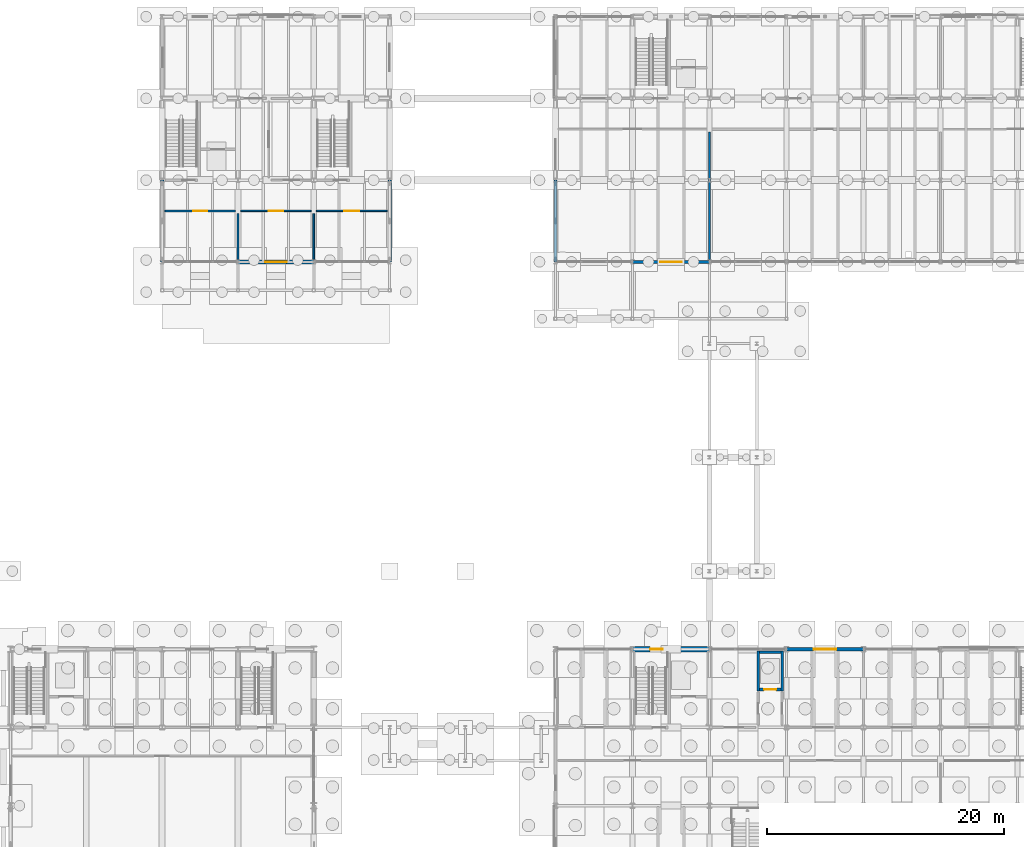
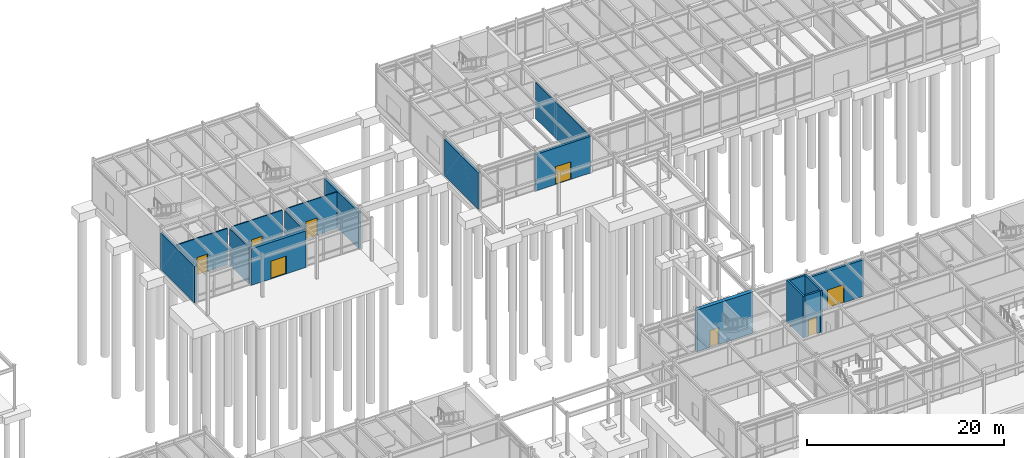
# One storey, part 70 of 82: 17 walls, 8 doors, 8 openings.
"""IFC4 building model written with IfcOpenShell, lengths in metres."""

from ifc_helpers import new_model, si_unit, direction, frame, frame_2d, origin, place, context, subcontext, project, spatial, rectangle, extrude, material, layer, layer_set, type_object, element, fill, save


model = new_model("IFC4")

# Units and contexts
model_context = context("Model", 3, precision=1e-05, world=origin(), true_north=direction((0.0, 1.0)))
body_context = subcontext(model_context, "Body", "Model", "MODEL_VIEW")
ifc_project = project(units=[si_unit("LENGTHUNIT", "METRE"), si_unit("AREAUNIT", "SQUARE_METRE"), si_unit("VOLUMEUNIT", "CUBIC_METRE"), si_unit("PLANEANGLEUNIT", "RADIAN"), si_unit("MASSUNIT", "GRAM", prefix="KILO")], contexts=[model_context])

# Site, building, storey
site_placement = place(None, origin())
site = spatial("IfcSite", under=ifc_project, at=site_placement, CompositionType="ELEMENT")
building_placement = place(site_placement, origin())
building = spatial("IfcBuilding", under=site, at=building_placement, Name="Trelmorton Wharf Fire Station", CompositionType="ELEMENT")
storey_placement = place(building_placement, origin())
storey = spatial("IfcBuildingStorey", under=building, at=storey_placement, Name="L00", CompositionType="ELEMENT", Elevation=0.0)

# Wall, opening, door
ifc_material_1 = material(Name="Precast concrete 45 MPa", Category="concrete")
ifc_layer_1 = layer(ifc_material_1, 0.27001953125)
ifc_layer_set_1 = layer_set([ifc_layer_1], Name="Precast concrete 45 MPa")
wall_type_1 = type_object("IfcWallType", Name="EW_PREC_270", PredefinedType="SOLIDWALL", material=ifc_layer_set_1)
wall_1_placement = place(storey_placement, frame((123.5048828125, 27.60009765625, 0.0), z_axis=(0.0, 0.0, 1.0), x_axis=(1.0, 0.0, 0.0)))
wall_1 = element("IfcWall", 1, at=wall_1_placement, inside=storey, type_object=wall_type_1, Name="EW-V5-L00-0068", PredefinedType="SOLIDWALL", context=body_context, shape_type="SweptSolid", body=[
    extrude(rectangle(XDim=6.490234375, YDim=0.27001953125, at=frame_2d((3.2451171875, 0.0))), origin(), (0.0, 0.0, 1.0), 4.52001953125),
])
opening_1_placement = place(wall_1_placement, frame((2.284912109375, 0.0, 0.0)))
opening_1 = element("IfcOpeningElement", 2, at=opening_1_placement, cuts=wall_1, Name="Opening E-013", PredefinedType="OPENING", context=body_context, shape_type="SweptSolid", body=[
    extrude(rectangle(XDim=1.919921875, YDim=2.25, at=frame_2d((0.9599609375, 1.125))), frame((0.0, 0.14501953125, 0.0), z_axis=(0.0, -1.0, 0.0), x_axis=(1.0, 0.0, 0.0)), (0.0, 0.0, 1.0), 0.2900390625),
])
ifc_material_2 = material(Name="Anodised aluminium AW-6063", Category="aluminium")
door_type_1 = type_object("IfcDoorType", Name="DR_EXT_DBL_192", OperationType="DOUBLE_DOOR_SINGLE_SWING", PredefinedType="DOOR", material=ifc_material_2)
door_1_placement = place(opening_1_placement, origin())
door_1 = element("IfcDoor", 3, at=door_1_placement, inside=storey, type_object=door_type_1, Name="Final Exit Door E-013", OperationType="DOUBLE_DOOR_SINGLE_SWING", OverallHeight=2.25, OverallWidth=1.919921875, PredefinedType="DOOR", context=body_context, shape_type="SweptSolid", body=[
    extrude(rectangle(XDim=1.919921875, YDim=2.25, at=frame_2d((0.9599609375, 1.125))), frame((0.0, 0.02490234375, 0.0), z_axis=(0.0, -1.0, 0.0), x_axis=(1.0, 0.0, 0.0)), (0.0, 0.0, 1.0), 0.050048828125),
])
fill(opening_1, door_1)

# Wall
wall_2_placement = place(storey_placement, frame((70.800048828125, 60.304931640625, 0.0), z_axis=(0.0, 0.0, 1.0), x_axis=(0.0, 1.0, 0.0)))
element("IfcWall", 4, at=wall_2_placement, inside=storey, type_object=wall_type_1, Name="EW-V2-L00-0158", PredefinedType="SOLIDWALL", context=body_context, shape_type="SweptSolid", body=[
    extrude(rectangle(XDim=6.89013671875, YDim=0.27001953125, at=frame_2d((3.445068359375, 0.0))), origin(), (0.0, 0.0, 1.0), 4.52001953125),
])

# Wall, opening, door
wall_3_placement = place(storey_placement, frame((116.9951171875, 60.300048828125, 0.0), z_axis=(0.0, 0.0, 1.0), x_axis=(-1.0, 0.0, 0.0)))
wall_3 = element("IfcWall", 5, at=wall_3_placement, inside=storey, type_object=wall_type_1, Name="EW-V4-L00-0200", PredefinedType="SOLIDWALL", context=body_context, shape_type="SweptSolid", body=[
    extrude(rectangle(XDim=6.490234375, YDim=0.27001953125, at=frame_2d((3.2451171875, 0.0))), origin(), (0.0, 0.0, 1.0), 4.52001953125),
])
opening_2_placement = place(wall_3_placement, frame((2.3349609375, 0.0, 0.0)))
opening_2 = element("IfcOpeningElement", 6, at=opening_2_placement, cuts=wall_3, Name="Opening E-031", PredefinedType="OPENING", context=body_context, shape_type="SweptSolid", body=[
    extrude(rectangle(XDim=1.820068359375, YDim=2.199951171875, at=frame_2d((0.91015625, 1.10009765625))), frame((0.0, 0.14501953125, 0.0), z_axis=(0.0, -1.0, 0.0), x_axis=(1.0, 0.0, 0.0)), (0.0, 0.0, 1.0), 0.2900390625),
])
door_type_2 = type_object("IfcDoorType", Name="DR_EXT_DBL_182", OperationType="DOUBLE_DOOR_SINGLE_SWING", PredefinedType="DOOR", material=ifc_material_2)
door_2_placement = place(opening_2_placement, origin())
door_2 = element("IfcDoor", 7, at=door_2_placement, inside=storey, type_object=door_type_2, Name="Final Exit Door E-031", OperationType="DOUBLE_DOOR_SINGLE_SWING", OverallHeight=2.199951171875, OverallWidth=1.820068359375, PredefinedType="DOOR", context=body_context, shape_type="SweptSolid", body=[
    extrude(rectangle(XDim=1.820068359375, YDim=2.199951171875, at=frame_2d((0.91015625, 1.10009765625))), frame((0.0, 0.02490234375, 0.0), z_axis=(0.0, -1.0, 0.0), x_axis=(1.0, 0.0, 0.0)), (0.0, 0.0, 1.0), 0.050048828125),
])
fill(opening_2, door_2)

# Walls
wall_4_placement = place(storey_placement, frame((104.0, 60.304931640625, 0.0), z_axis=(0.0, 0.0, 1.0), x_axis=(0.0, 1.0, 0.0)))
element("IfcWall", 8, at=wall_4_placement, inside=storey, type_object=wall_type_1, Name="EW-V4-L00-0206", PredefinedType="SOLIDWALL", context=body_context, shape_type="SweptSolid", body=[
    extrude(rectangle(XDim=6.89013671875, YDim=0.27001953125, at=frame_2d((3.445068359375, 0.0))), origin(), (0.0, 0.0, 1.0), 4.52001953125),
])
ifc_layer_2 = layer(ifc_material_1, 0.2900390625)
ifc_layer_set_2 = layer_set([ifc_layer_2], Name="Precast concrete 45 MPa")
wall_type_2 = type_object("IfcWallType", Name="EW_TERR_290", PredefinedType="SOLIDWALL", material=ifc_layer_set_2)
wall_5_placement = place(storey_placement, frame((90.0, 67.195068359375, 0.0), z_axis=(0.0, 0.0, 1.0), x_axis=(0.0, -1.0, 0.0)))
element("IfcWall", 9, at=wall_5_placement, inside=storey, type_object=wall_type_2, Name="EW-V2-L00-0159", PredefinedType="SOLIDWALL", context=body_context, shape_type="SweptSolid", body=[
    extrude(rectangle(XDim=6.89013671875, YDim=0.2900390625, at=frame_2d((3.445068359375, 0.0))), origin(), (0.0, 0.0, 1.0), 4.52001953125),
])

# Wall, opening, door
ifc_layer_3 = layer(ifc_material_1, 0.330078125)
ifc_layer_set_3 = layer_set([ifc_layer_3], Name="Precast concrete 45 MPa")
wall_type_3 = type_object("IfcWallType", Name="EW_TERR_330", PredefinedType="SOLIDWALL", material=ifc_layer_set_3)
wall_6_placement = place(storey_placement, frame((83.594970703125, 60.300048828125, 0.0), z_axis=(0.0, 0.0, 1.0), x_axis=(-1.0, 0.0, 0.0)))
wall_6 = element("IfcWall", 10, at=wall_6_placement, inside=storey, type_object=wall_type_3, Name="EW-V2-L00-0155", PredefinedType="SOLIDWALL", context=body_context, shape_type="SweptSolid", body=[
    extrude(rectangle(XDim=6.389892578125, YDim=0.330078125, at=frame_2d((3.19482421875, 0.0))), origin(), (0.0, 0.0, 1.0), 4.52001953125),
])
opening_3_placement = place(wall_6_placement, frame((2.284912109375, 0.0, 0.0)))
opening_3 = element("IfcOpeningElement", 11, at=opening_3_placement, cuts=wall_6, Name="Opening E-025", PredefinedType="OPENING", context=body_context, shape_type="SweptSolid", body=[
    extrude(rectangle(XDim=1.820068359375, YDim=2.199951171875, at=frame_2d((0.91015625, 1.10009765625))), frame((0.0, 0.175048828125, 0.0), z_axis=(0.0, -1.0, 0.0), x_axis=(1.0, 0.0, 0.0)), (0.0, 0.0, 1.0), 0.35009765625),
])
door_3_placement = place(opening_3_placement, origin())
door_3 = element("IfcDoor", 12, at=door_3_placement, inside=storey, type_object=door_type_2, Name="Final Exit Door E-025", OperationType="DOUBLE_DOOR_SINGLE_SWING", OverallHeight=2.199951171875, OverallWidth=1.820068359375, PredefinedType="DOOR", context=body_context, shape_type="SweptSolid", body=[
    extrude(rectangle(XDim=1.820068359375, YDim=2.199951171875, at=frame_2d((0.91015625, 1.10009765625))), frame((0.0, 0.02490234375, 0.0), z_axis=(0.0, -1.0, 0.0), x_axis=(1.0, 0.0, 0.0)), (0.0, 0.0, 1.0), 0.050048828125),
])
fill(opening_3, door_3)

ifc_material_3 = material(Name="Gypsum plasterboard partition")
ifc_layer_4 = layer(ifc_material_3, 0.14990234375)
ifc_layer_set_4 = layer_set([ifc_layer_4], Name="Gypsum plasterboard partition")
wall_type_4 = type_object("IfcWallType", Name="IW_ACOU_150", PredefinedType="PARTITIONING", material=ifc_layer_set_4)
wall_7_placement = place(storey_placement, frame((71.02001953125, 64.60009765625, 0.0), z_axis=(0.0, 0.0, 1.0), x_axis=(1.0, 0.0, 0.0)))
wall_7 = element("IfcWall", 13, at=wall_7_placement, inside=storey, type_object=wall_type_4, Name="IW-L00-0044", PredefinedType="PARTITIONING", context=body_context, shape_type="SweptSolid", body=[
    extrude(rectangle(XDim=5.9599609375, YDim=0.14990234375, at=frame_2d((2.97998046875, 0.0))), origin(), (0.0, 0.0, 1.0), 4.5),
])
opening_4_placement = place(wall_7_placement, frame((2.385009765625, 0.0, 0.0)))
opening_4 = element("IfcOpeningElement", 14, at=opening_4_placement, cuts=wall_7, Name="Opening D-030", PredefinedType="OPENING", context=body_context, shape_type="SweptSolid", body=[
    extrude(rectangle(XDim=1.18994140625, YDim=2.139892578125, at=frame_2d((0.594970703125, 1.06982421875))), frame((0.0, 0.0849609375, 0.0), z_axis=(0.0, -1.0, 0.0), x_axis=(1.0, 0.0, 0.0)), (0.0, 0.0, 1.0), 0.169921875),
])
ifc_material_4 = material(Name="Acoustic timber panelling", Category="wood")
door_type_3 = type_object("IfcDoorType", Name="DR_INT_119", OperationType="NOTDEFINED", PredefinedType="DOOR", material=ifc_material_4)
door_4_placement = place(opening_4_placement, origin())
door_4 = element("IfcDoor", 15, at=door_4_placement, inside=storey, type_object=door_type_3, Name="Interior Door D-030", OperationType="SINGLE_SWING_LEFT", OverallHeight=2.139892578125, OverallWidth=1.18994140625, PredefinedType="DOOR", context=body_context, shape_type="SweptSolid", body=[
    extrude(rectangle(XDim=1.18994140625, YDim=2.139892578125, at=frame_2d((0.594970703125, 1.06982421875))), frame((0.0, 0.02490234375, 0.0), z_axis=(0.0, -1.0, 0.0), x_axis=(1.0, 0.0, 0.0)), (0.0, 0.0, 1.0), 0.050048828125),
])
fill(opening_4, door_4)

# Walls
ifc_layer_5 = layer(ifc_material_3, 0.159912109375)
ifc_layer_set_5 = layer_set([ifc_layer_5], Name="Gypsum plasterboard partition")
wall_type_5 = type_object("IfcWallType", Name="IW_ACOU_160", PredefinedType="PARTITIONING", material=ifc_layer_set_5)
wall_8_placement = place(storey_placement, frame((77.199951171875, 60.52001953125, 0.0), z_axis=(0.0, 0.0, 1.0), x_axis=(0.0, 1.0, 0.0)))
element("IfcWall", 16, at=wall_8_placement, inside=storey, type_object=wall_type_5, Name="IW-L00-0043", PredefinedType="PARTITIONING", context=body_context, shape_type="SweptSolid", body=[
    extrude(rectangle(XDim=3.85986328125, YDim=0.159912109375, at=frame_2d((1.929931640625, 0.0))), origin(), (0.0, 0.0, 1.0), 4.5),
])
ifc_material_5 = material(Name="Concrete 40 MPa", Category="concrete")
ifc_layer_6 = layer(ifc_material_5, 0.219970703125)
ifc_layer_set_6 = layer_set([ifc_layer_6], Name="Concrete 40 MPa")
wall_type_6 = type_object("IfcWallType", Name="IW_CORE_220", PredefinedType="SOLIDWALL", material=ifc_layer_set_6)
for number, where, z_axis, x_axis, name in (
    (17, (121.110107421875, 24.090087890625, 0.0), (0.0, 0.0, 1.0), (0.0, 1.0, 0.0), "IW-LF3-W-L00"),
    (18, (123.1298828125, 24.090087890625, 0.0), (0.0, 0.0, 1.0), (0.0, 1.0, 0.0), "IW-LF3-E-L00"),
):
    element("IfcWall", number, at=place(storey_placement, frame(where, z_axis=z_axis, x_axis=x_axis)), inside=storey, type_object=wall_type_6, Name=name, PredefinedType="SOLIDWALL", context=body_context, shape_type="SweptSolid", body=[
        extrude(rectangle(XDim=3.35986328125, YDim=0.219970703125, at=frame_2d((1.679931640625, 0.0))), origin(), (0.0, 0.0, 1.0), 5.159912109375),
    ])
wall_9_placement = place(storey_placement, frame((121.219970703125, 27.340087890625, 0.0), z_axis=(0.0, 0.0, 1.0), x_axis=(1.0, 0.0, 0.0)))
element("IfcWall", 19, at=wall_9_placement, inside=storey, type_object=wall_type_6, Name="IW-LF3-N-L00", PredefinedType="SOLIDWALL", context=body_context, shape_type="SweptSolid", body=[
    extrude(rectangle(XDim=1.800048828125, YDim=0.219970703125, at=frame_2d((0.89990234375, 0.0))), origin(), (0.0, 0.0, 1.0), 5.159912109375),
])

# Wall, opening, door
wall_10_placement = place(storey_placement, frame((121.219970703125, 24.199951171875, 0.0), z_axis=(0.0, 0.0, 1.0), x_axis=(1.0, 0.0, 0.0)))
wall_10 = element("IfcWall", 20, at=wall_10_placement, inside=storey, type_object=wall_type_6, Name="IW-LF3-S-L00", PredefinedType="SOLIDWALL", context=body_context, shape_type="SweptSolid", body=[
    extrude(rectangle(XDim=1.800048828125, YDim=0.219970703125, at=frame_2d((0.89990234375, 0.0))), origin(), (0.0, 0.0, 1.0), 5.159912109375),
])
opening_5_placement = place(wall_10_placement, frame((0.39990234375, 0.0, 0.0)))
opening_5 = element("IfcOpeningElement", 21, at=opening_5_placement, cuts=wall_10, Name="Opening LD-006", PredefinedType="OPENING", context=body_context, shape_type="SweptSolid", body=[
    extrude(rectangle(XDim=1.0, YDim=2.10009765625, at=frame_2d((0.5, 1.050048828125))), frame((0.0, 0.1201171875, 0.0), z_axis=(0.0, -1.0, 0.0), x_axis=(1.0, 0.0, 0.0)), (0.0, 0.0, 1.0), 0.239990234375),
])
ifc_material_6 = material(Name="Stainless steel 316 marine grade", Category="steel")
door_type_4 = type_object("IfcDoorType", Name="DR_LIFT_100", OperationType="DOUBLE_DOOR_SLIDING", PredefinedType="DOOR", material=ifc_material_6)
door_5_placement = place(opening_5_placement, origin())
door_5 = element("IfcDoor", 22, at=door_5_placement, inside=storey, type_object=door_type_4, Name="Lift Landing Door LD-006", OperationType="DOUBLE_DOOR_SLIDING", OverallHeight=2.10009765625, OverallWidth=1.0, PredefinedType="DOOR", context=body_context, shape_type="SweptSolid", body=[
    extrude(rectangle(XDim=1.0, YDim=2.10009765625, at=frame_2d((0.5, 1.050048828125))), frame((0.0, 0.02490234375, 0.0), z_axis=(0.0, -1.0, 0.0), x_axis=(1.0, 0.0, 0.0)), (0.0, 0.0, 1.0), 0.050048828125),
])
fill(opening_5, door_5)

# Wall
ifc_layer_7 = layer(ifc_material_1, 0.169921875)
ifc_layer_set_7 = layer_set([ifc_layer_7], Name="Precast concrete 45 MPa")
wall_type_7 = type_object("IfcWallType", Name="IW_FIRE_170", PredefinedType="PARTITIONING", material=ifc_layer_set_7)
wall_11_placement = place(storey_placement, frame((117.0, 60.52001953125, 0.0), z_axis=(0.0, 0.0, 1.0), x_axis=(0.0, 1.0, 0.0)))
element("IfcWall", 23, at=wall_11_placement, inside=storey, type_object=wall_type_7, Name="IW-L00-0052", PredefinedType="PARTITIONING", context=body_context, shape_type="SweptSolid", body=[
    extrude(rectangle(XDim=10.760009765625, YDim=0.169921875, at=frame_2d((5.3798828125, 0.0))), origin(), (0.0, 0.0, 1.0), 4.5),
])

# Wall, opening, door
ifc_layer_8 = layer(ifc_material_3, 0.1298828125)
ifc_layer_set_8 = layer_set([ifc_layer_8], Name="Gypsum plasterboard partition")
wall_type_8 = type_object("IfcWallType", Name="IW_PART_130", PredefinedType="PARTITIONING", material=ifc_layer_set_8)
wall_12_placement = place(storey_placement, frame((77.419921875, 64.60009765625, 0.0), z_axis=(0.0, 0.0, 1.0), x_axis=(1.0, 0.0, 0.0)))
wall_12 = element("IfcWall", 24, at=wall_12_placement, inside=storey, type_object=wall_type_8, Name="IW-L00-0046", PredefinedType="PARTITIONING", context=body_context, shape_type="SweptSolid", body=[
    extrude(rectangle(XDim=5.9599609375, YDim=0.1298828125, at=frame_2d((2.97998046875, 0.0))), origin(), (0.0, 0.0, 1.0), 4.5),
])
opening_6_placement = place(wall_12_placement, frame((2.364990234375, 0.0, 0.0)))
opening_6 = element("IfcOpeningElement", 25, at=opening_6_placement, cuts=wall_12, Name="Opening D-031", PredefinedType="OPENING", context=body_context, shape_type="SweptSolid", body=[
    extrude(rectangle(XDim=1.22998046875, YDim=2.080078125, at=frame_2d((0.614990234375, 1.0400390625))), frame((0.0, 0.074951171875, 0.0), z_axis=(0.0, -1.0, 0.0), x_axis=(1.0, 0.0, 0.0)), (0.0, 0.0, 1.0), 0.14990234375),
])
door_type_5 = type_object("IfcDoorType", Name="DR_INT_123", OperationType="NOTDEFINED", PredefinedType="DOOR", material=ifc_material_4)
door_6_placement = place(opening_6_placement, origin())
door_6 = element("IfcDoor", 26, at=door_6_placement, inside=storey, type_object=door_type_5, Name="Interior Door D-031", OperationType="SINGLE_SWING_RIGHT", OverallHeight=2.080078125, OverallWidth=1.22998046875, PredefinedType="DOOR", context=body_context, shape_type="SweptSolid", body=[
    extrude(rectangle(XDim=1.22998046875, YDim=2.080078125, at=frame_2d((0.614990234375, 1.0400390625))), frame((0.0, 0.02490234375, 0.0), z_axis=(0.0, -1.0, 0.0), x_axis=(1.0, 0.0, 0.0)), (0.0, 0.0, 1.0), 0.050048828125),
])
fill(opening_6, door_6)

# Wall
ifc_layer_9 = layer(ifc_material_3, 0.139892578125)
ifc_layer_set_9 = layer_set([ifc_layer_9], Name="Gypsum plasterboard partition")
wall_type_9 = type_object("IfcWallType", Name="IW_PART_140", PredefinedType="PARTITIONING", material=ifc_layer_set_9)
wall_13_placement = place(storey_placement, frame((83.60009765625, 60.52001953125, 0.0), z_axis=(0.0, 0.0, 1.0), x_axis=(0.0, 1.0, 0.0)))
element("IfcWall", 27, at=wall_13_placement, inside=storey, type_object=wall_type_9, Name="IW-L00-0045", PredefinedType="PARTITIONING", context=body_context, shape_type="SweptSolid", body=[
    extrude(rectangle(XDim=3.85986328125, YDim=0.139892578125, at=frame_2d((1.929931640625, 0.0))), origin(), (0.0, 0.0, 1.0), 4.5),
])

# Wall, opening, door
ifc_layer_10 = layer(ifc_material_3, 0.1201171875)
ifc_layer_set_10 = layer_set([ifc_layer_10], Name="Gypsum plasterboard partition")
wall_type_10 = type_object("IfcWallType", Name="IW_WET_120", PredefinedType="PARTITIONING", material=ifc_layer_set_10)
wall_14_placement = place(storey_placement, frame((83.820068359375, 64.60009765625, 0.0), z_axis=(0.0, 0.0, 1.0), x_axis=(1.0, 0.0, 0.0)))
wall_14 = element("IfcWall", 28, at=wall_14_placement, inside=storey, type_object=wall_type_10, Name="IW-L00-0047", PredefinedType="PARTITIONING", context=body_context, shape_type="SweptSolid", body=[
    extrude(rectangle(XDim=5.9599609375, YDim=0.1201171875, at=frame_2d((2.97998046875, 0.0))), origin(), (0.0, 0.0, 1.0), 4.5),
])
opening_7_placement = place(wall_14_placement, frame((2.344970703125, 0.0, 0.0)))
opening_7 = element("IfcOpeningElement", 29, at=opening_7_placement, cuts=wall_14, Name="Opening D-032", PredefinedType="OPENING", context=body_context, shape_type="SweptSolid", body=[
    extrude(rectangle(XDim=1.27001953125, YDim=2.10009765625, at=frame_2d((0.635009765625, 1.050048828125))), frame((0.0, 0.070068359375, 0.0), z_axis=(0.0, -1.0, 0.0), x_axis=(1.0, 0.0, 0.0)), (0.0, 0.0, 1.0), 0.14013671875),
])
door_type_6 = type_object("IfcDoorType", Name="DR_INT_127", OperationType="NOTDEFINED", PredefinedType="DOOR", material=ifc_material_4)
door_7_placement = place(opening_7_placement, origin())
door_7 = element("IfcDoor", 30, at=door_7_placement, inside=storey, type_object=door_type_6, Name="Interior Door D-032", OperationType="SINGLE_SWING_LEFT", OverallHeight=2.10009765625, OverallWidth=1.27001953125, PredefinedType="DOOR", context=body_context, shape_type="SweptSolid", body=[
    extrude(rectangle(XDim=1.27001953125, YDim=2.10009765625, at=frame_2d((0.635009765625, 1.050048828125))), frame((0.0, 0.02490234375, 0.0), z_axis=(0.0, -1.0, 0.0), x_axis=(1.0, 0.0, 0.0)), (0.0, 0.0, 1.0), 0.050048828125),
])
fill(opening_7, door_7)

ifc_material_7 = material(Name="Concrete 50 MPa", Category="concrete")
ifc_layer_11 = layer(ifc_material_7, 0.43994140625)
ifc_layer_set_11 = layer_set([ifc_layer_11], Name="Concrete 50 MPa")
wall_type_11 = type_object("IfcWallType", Name="WL_CORE_440", PredefinedType="SHEAR", material=ifc_layer_set_11)
wall_15_placement = place(storey_placement, frame((110.5, 27.60009765625, 0.0), z_axis=(0.0, 0.0, 1.0), x_axis=(1.0, 0.0, 0.0)))
wall_15 = element("IfcWall", 31, at=wall_15_placement, inside=storey, type_object=wall_type_11, Name="WL-SW-C3-L00-031", PredefinedType="SHEAR", context=body_context, shape_type="SweptSolid", body=[
    extrude(rectangle(XDim=6.5, YDim=0.43994140625, at=frame_2d((3.25, 0.0))), origin(), (0.0, 0.0, 1.0), 5.159912109375),
])
opening_8_placement = place(wall_15_placement, frame((1.47998046875, 0.0, 0.0)))
opening_8 = element("IfcOpeningElement", 32, at=opening_8_placement, cuts=wall_15, Name="Opening E-103", PredefinedType="OPENING", context=body_context, shape_type="SweptSolid", body=[
    extrude(rectangle(XDim=1.06005859375, YDim=2.1201171875, at=frame_2d((0.530029296875, 1.06005859375))), frame((0.0, 0.22998046875, 0.0), z_axis=(0.0, -1.0, 0.0), x_axis=(1.0, 0.0, 0.0)), (0.0, 0.0, 1.0), 0.4599609375),
])
door_type_7 = type_object("IfcDoorType", Name="DR_EXIT_106", OperationType="NOTDEFINED", PredefinedType="DOOR", material=ifc_material_6)
door_8_placement = place(opening_8_placement, origin())
door_8 = element("IfcDoor", 33, at=door_8_placement, inside=storey, type_object=door_type_7, Name="Final Exit Door E-103", OperationType="SINGLE_SWING_RIGHT", OverallHeight=2.1201171875, OverallWidth=1.06005859375, PredefinedType="DOOR", context=body_context, shape_type="SweptSolid", body=[
    extrude(rectangle(XDim=1.06005859375, YDim=2.1201171875, at=frame_2d((0.530029296875, 1.06005859375))), frame((0.0, 0.02490234375, 0.0), z_axis=(0.0, -1.0, 0.0), x_axis=(1.0, 0.0, 0.0)), (0.0, 0.0, 1.0), 0.050048828125),
])
fill(opening_8, door_8)

save(model, "model.ifc")
